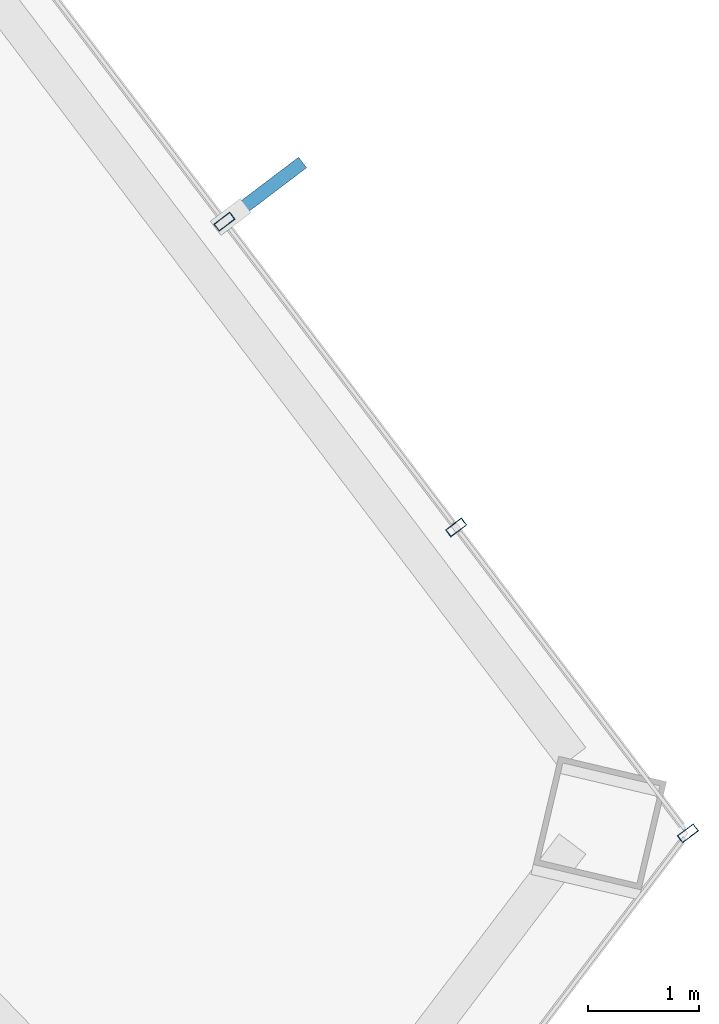
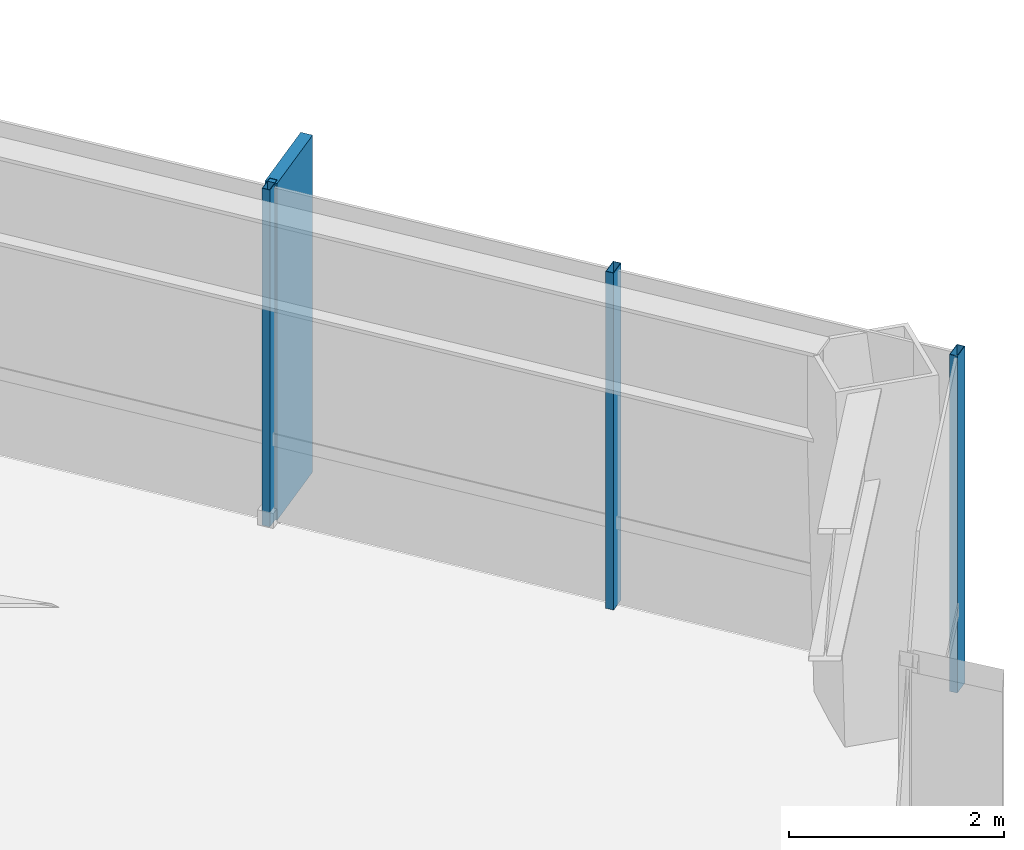
# One storey, part 17 of 24: 4 members, 1 element without a shape of its own.
"""IFC4 building model written with IfcOpenShell, lengths in metres."""

from ifc_helpers import new_model, si_unit, direction, frame, origin, origin_2d, place, context, subcontext, project, spatial, rectangle, hollow_rectangle, extrude, material, layer, layer_set, material_profile, profile_set, type_object, element, aggregate, save


model = new_model("IFC4")

# Units and contexts
model_context = context("Model", 3, precision=1e-05, world=origin(), true_north=direction((0.0, 1.0)))
body_context = subcontext(model_context, "Body", "Model", "MODEL_VIEW")
ifc_project = project(units=[si_unit("LENGTHUNIT", "METRE"), si_unit("AREAUNIT", "SQUARE_METRE"), si_unit("VOLUMEUNIT", "CUBIC_METRE"), si_unit("PLANEANGLEUNIT", "RADIAN"), si_unit("MASSUNIT", "GRAM", prefix="KILO")], contexts=[model_context])

# Site, building, storey
site_placement = place(None, origin())
site = spatial("IfcSite", under=ifc_project, at=site_placement, CompositionType="ELEMENT")
building_placement = place(site_placement, origin())
building = spatial("IfcBuilding", under=site, at=building_placement, Name="Zarrinselat Tower", CompositionType="ELEMENT")
storey_placement = place(building_placement, frame((0.0, 0.0, 68.340087890625)))
storey = spatial("IfcBuildingStorey", under=building, at=storey_placement, Name="L16", CompositionType="ELEMENT", Elevation=68.340087890625)

# Curtain wall, members
ifc_material_1 = material(Name="Extruded Aluminium Alloy EN AW-6063 T6", Category="aluminium")
ifc_layer = layer(ifc_material_1, 0.18505859375)
ifc_layer_set = layer_set([ifc_layer], Name="Extruded Aluminium Alloy EN AW-6063 T6")
curtain_wall_type = type_object("IfcCurtainWallType", Name="CWS-OFF", PredefinedType="NOTDEFINED", material=ifc_layer_set)
curtain_wall_placement = place(storey_placement, origin())
curtain_wall = element("IfcCurtainWall", 1, at=curtain_wall_placement, inside=storey, type_object=curtain_wall_type, Name="L16 Unitised Curtain Wall CW-L16-E03", PredefinedType="NOTDEFINED")
ifc_material_2 = material(Name="Extruded Aluminium Alloy EN AW-6063 T6", Category="aluminium")
ifc_material_profile_1 = material_profile(ifc_material_2, hollow_rectangle(XDim=0.080078125, YDim=0.179931640625, WallThickness=0.0048828125, at=origin_2d()), Name="RHS 180x80x5")
ifc_profile_set_1 = profile_set([ifc_material_profile_1], Name="Extruded Aluminium Alloy EN AW-6063 T6")
member_type_1 = type_object("IfcMemberType", Name="MEM-CW-MUL", PredefinedType="MULLION", material=ifc_profile_set_1)
member_1_placement = place(storey_placement, frame((57.699951171875, 41.529296875, 0.0), z_axis=(0.0, 0.0, 1.0), x_axis=(0.603859800485, -0.797090547779, 0.0)))
member_1 = element("IfcMember", 2, at=member_1_placement, type_object=member_type_1, Name="CW-L16-E03 Mullion 3", PredefinedType="MULLION", context=body_context, shape_type="SweptSolid", body=[
    extrude(hollow_rectangle(XDim=0.080078125, YDim=0.179931640625, WallThickness=0.0048828125, at=origin_2d()), origin(), (0.0, 0.0, 1.0), 3.81982421875),
])
member_2_placement = place(storey_placement, frame((59.791259765625, 38.768798828125, 0.0), z_axis=(0.0, 0.0, 1.0), x_axis=(0.603859800485, -0.797090547779, 0.0)))
member_2 = element("IfcMember", 3, at=member_2_placement, type_object=member_type_1, Name="CW-L16-E03 Mullion 4", PredefinedType="MULLION", context=body_context, shape_type="SweptSolid", body=[
    extrude(hollow_rectangle(XDim=0.080078125, YDim=0.179931640625, WallThickness=0.0048828125, at=origin_2d()), origin(), (0.0, 0.0, 1.0), 3.81982421875),
])
member_3_placement = place(storey_placement, frame((61.8828125, 36.00830078125, 0.0), z_axis=(0.0, 0.0, 1.0), x_axis=(0.603859800485, -0.797090547779, 0.0)))
member_3 = element("IfcMember", 4, at=member_3_placement, type_object=member_type_1, Name="CW-L16-E03 Mullion 5", PredefinedType="MULLION", context=body_context, shape_type="SweptSolid", body=[
    extrude(hollow_rectangle(XDim=0.080078125, YDim=0.179931640625, WallThickness=0.0048828125, at=origin_2d()), origin(), (0.0, 0.0, 1.0), 3.81982421875),
])
ifc_material_3 = material(Name="Honed Cream Travertine Stone", Category="masonry")
ifc_material_profile_2 = material_profile(ifc_material_3, rectangle(XDim=0.1201171875, YDim=0.85009765625, at=origin_2d()), Name="FIN 850x120")
ifc_profile_set_2 = profile_set([ifc_material_profile_2], Name="Honed Cream Travertine Stone")
member_type_2 = type_object("IfcMemberType", Name="MEM-STONE-FIN", PredefinedType="USERDEFINED", material=ifc_profile_set_2)
member_4_placement = place(storey_placement, frame((58.066650390625, 41.80712890625, 0.0), z_axis=(0.0, 0.0, 1.0), x_axis=(0.603859800485, -0.797090547779, 0.0)))
member_4 = element("IfcMember", 5, at=member_4_placement, type_object=member_type_2, Name="L16 Stone Shading Fin CW-L16-E03-03", ObjectType="FIN", PredefinedType="USERDEFINED", context=body_context, shape_type="SweptSolid", body=[
    extrude(rectangle(XDim=0.1201171875, YDim=0.85009765625, at=origin_2d()), origin(), (0.0, 0.0, 1.0), 3.81982421875),
])
aggregate(curtain_wall, [member_1, member_4, member_2, member_3])

save(model, "model.ifc")
